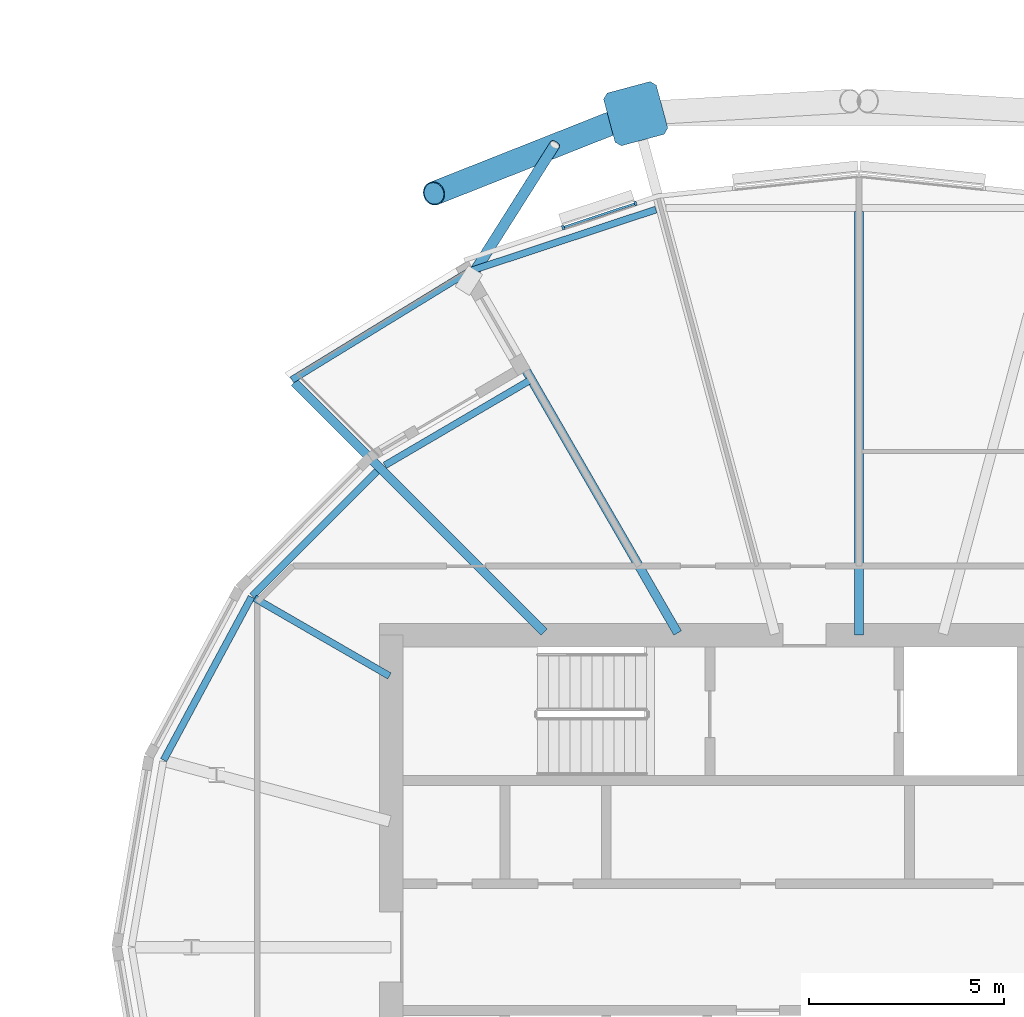
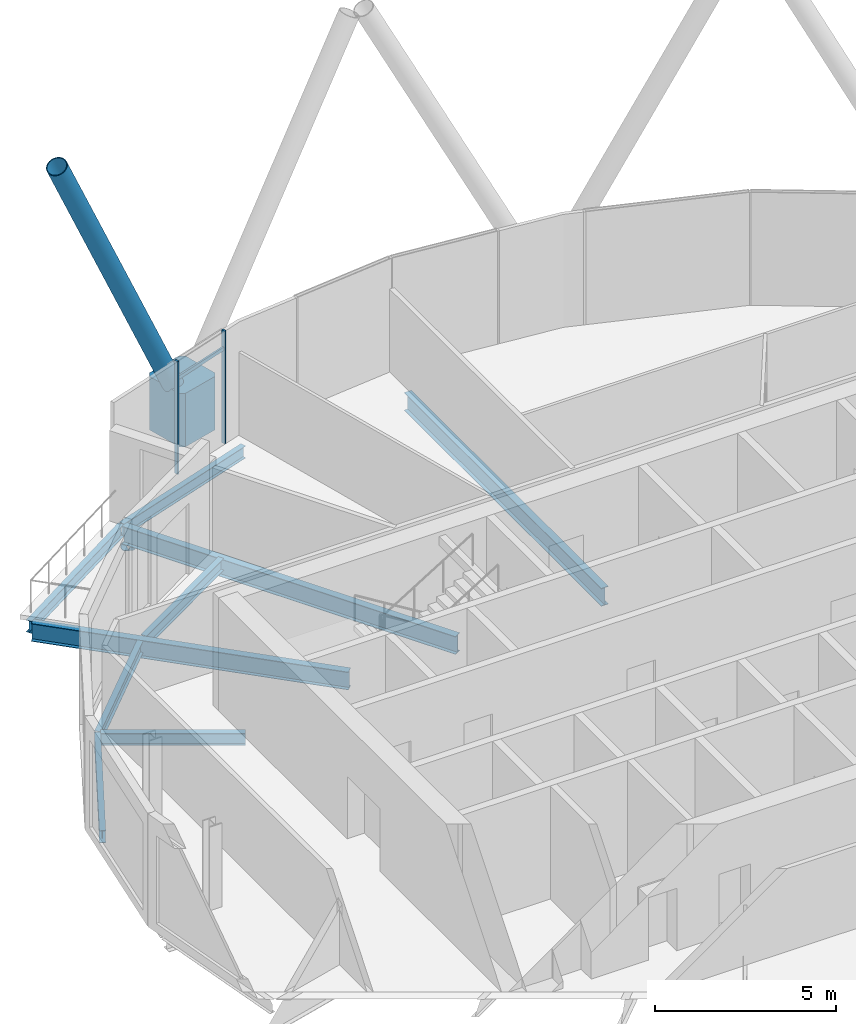
# One storey, part 10 of 37: 9 beams, 6 members, 1 element without a shape of its own.
"""IFC4 building model written with IfcOpenShell, lengths in metres."""

from ifc_helpers import new_model, si_unit, direction, frame, origin, origin_2d, place, context, subcontext, project, spatial, polyline, rectangle, hollow_circle, i_section, outline, extrude, clip, halfspace, material, material_profile, profile_set, type_object, element, aggregate, save


model = new_model("IFC4")

# Units and contexts
model_context = context("Model", 3, precision=1e-05, world=origin(), true_north=direction((0.0, 1.0)))
body_context = subcontext(model_context, "Body", "Model", "MODEL_VIEW")
ifc_project = project(units=[si_unit("LENGTHUNIT", "METRE"), si_unit("AREAUNIT", "SQUARE_METRE"), si_unit("VOLUMEUNIT", "CUBIC_METRE"), si_unit("PLANEANGLEUNIT", "RADIAN"), si_unit("MASSUNIT", "GRAM", prefix="KILO")], contexts=[model_context])

# Site, building, storey
site_placement = place(None, origin())
site = spatial("IfcSite", under=ifc_project, at=site_placement, CompositionType="ELEMENT")
building_placement = place(site_placement, origin())
building = spatial("IfcBuilding", under=site, at=building_placement, Name="Rimbun Link Towers", CompositionType="ELEMENT")
storey_placement = place(building_placement, frame((0.0, 0.0, 170.300048828125)))
storey = spatial("IfcBuildingStorey", under=building, at=storey_placement, Name="L41", CompositionType="ELEMENT", Elevation=170.300048828125)

# Curtain wall, members
ifc_material_1 = material(Name="Aluminium 6063-T6 and low-iron glass", Category="aluminium")
curtain_wall_type = type_object("IfcCurtainWallType", Name="CW1-Z3 unitised vision wall (zone 3)", PredefinedType="NOTDEFINED", material=ifc_material_1)
curtain_wall_placement = place(storey_placement, origin())
curtain_wall = element("IfcCurtainWall", 1, at=curtain_wall_placement, inside=storey, type_object=curtain_wall_type, Name="CW1 L41 T1", PredefinedType="NOTDEFINED")
ifc_material_2 = material(Name="Aluminium 6063-T6", Category="aluminium")
ifc_material_profile_1 = material_profile(ifc_material_2, rectangle(XDim=0.1201171875, YDim=0.06005859375, at=origin_2d()), Name="MULLION 60X120")
ifc_profile_set_1 = profile_set([ifc_material_profile_1], Name="Aluminium 6063-T6")
member_type_1 = type_object("IfcMemberType", Name="CW1 mullion 60X120", PredefinedType="MULLION", material=ifc_profile_set_1)
member_1_placement = place(storey_placement, frame((-39.340576171875, 18.4599609375, 0.0), z_axis=(0.0, 0.0, 1.0), x_axis=(-0.314560279601, 0.949237499521, 0.0)))
member_1 = element("IfcMember", 2, at=member_1_placement, type_object=member_type_1, Name="CW1 mullion", PredefinedType="MULLION", context=body_context, shape_type="SweptSolid", body=[
    extrude(rectangle(XDim=0.1201171875, YDim=0.06005859375, at=origin_2d()), origin(), (0.0, 0.0, 1.0), 3.800048828125),
])
member_2_placement = place(storey_placement, frame((-37.48486328125, 19.07470703125, 0.0), z_axis=(0.0, 0.0, 1.0), x_axis=(-0.314560279601, 0.949237499521, 0.0)))
member_2 = element("IfcMember", 3, at=member_2_placement, type_object=member_type_1, Name="CW1 mullion", PredefinedType="MULLION", context=body_context, shape_type="SweptSolid", body=[
    extrude(rectangle(XDim=0.1201171875, YDim=0.06005859375, at=origin_2d()), origin(), (0.0, 0.0, 1.0), 3.800048828125),
])
ifc_material_3 = material(Name="Aluminium 6063-T6", Category="aluminium")
ifc_material_profile_2 = material_profile(ifc_material_3, rectangle(XDim=0.06005859375, YDim=0.1201171875, at=origin_2d()), Name="TRANSOM 60X120")
ifc_profile_set_2 = profile_set([ifc_material_profile_2], Name="Aluminium 6063-T6")
member_type_2 = type_object("IfcMemberType", Name="CW1 transom 60X120", PredefinedType="USERDEFINED", material=ifc_profile_set_2)
member_3_placement = place(storey_placement, frame((-39.3115234375, 18.46728515625, 3.199951171875), z_axis=(0.949222997318, 0.314604039013, 0.0), x_axis=(-0.314604039013, 0.949222997318, 0.0)))
member_3 = element("IfcMember", 4, at=member_3_placement, type_object=member_type_2, Name="CW1 transom", ObjectType="TRANSOM", PredefinedType="USERDEFINED", context=body_context, shape_type="SweptSolid", body=[
    extrude(rectangle(XDim=0.06005859375, YDim=0.1201171875, at=origin_2d()), origin(), (0.0, 0.0, 1.0), 1.89501953125),
])
aggregate(curtain_wall, [member_1, member_2, member_3])

# Members
ifc_material_4 = material(Name="Steel S355J2H", Category="steel")
ifc_material_profile_3 = material_profile(ifc_material_4, hollow_circle(Radius=0.3046875, WallThickness=0.02490234375, at=origin_2d()), Name="Diagrid diagonal CHS 610x25")
ifc_profile_set_3 = profile_set([ifc_material_profile_3], Name="Steel S355J2H")
member_type_3 = type_object("IfcMemberType", Name="Diagrid diagonal CHS 610x25", PredefinedType="BRACE", material=ifc_profile_set_3)
member_4_placement = place(storey_placement, frame((-37.689208984375, 21.296630859375, 0.44580078125), z_axis=(-0.421187646569, -0.166556991544, 0.8915490648), x_axis=(0.367737070118, -0.929929807707, 0.0)))
element("IfcMember", 5, at=member_4_placement, inside=storey, type_object=member_type_3, Name="Diagrid diagonal T1 L41-L44 07b", PredefinedType="BRACE", context=body_context, shape_type="SweptSolid", body=[
    extrude(hollow_circle(Radius=0.3046875, WallThickness=0.02490234375, at=origin_2d()), origin(), (0.0, 0.0, 1.0), 11.78662109375),
])
ifc_material_5 = material(Name="Cast steel G20Mn5+QT, Rp0.2 300 MPa", Category="steel")
ifc_material_profile_4 = material_profile(ifc_material_5, outline(polyline([(0.699951171875, -0.570068359375), (0.699951171875, 0.570068359375), (0.570068359375, 0.699951171875), (-0.570068359375, 0.699951171875), (-0.699951171875, 0.570068359375), (-0.699951171875, -0.570068359375), (-0.570068359375, -0.699951171875), (0.570068359375, -0.699951171875), (0.699951171875, -0.570068359375)])), Name="NODE 1400x1400")
ifc_profile_set_4 = profile_set([ifc_material_profile_4], Name="Cast steel G20Mn5+QT, Rp0.2 300 MPa")
member_type_4 = type_object("IfcMemberType", Name="Diagrid node cast 1400", PredefinedType="USERDEFINED", material=ifc_profile_set_4)
member_5_placement = place(storey_placement, frame((-37.478759765625, 21.3798828125, -0.900146484375), z_axis=(0.0, 0.0, 1.0), x_axis=(-0.258819045103, 0.965925826289, 0.0)))
element("IfcMember", 6, at=member_5_placement, inside=storey, type_object=member_type_4, Name="Diagrid node L41 07", ObjectType="Diagrid node", PredefinedType="USERDEFINED", context=body_context, shape_type="SweptSolid", body=[
    extrude(outline(polyline([(0.699951171875, -0.570068359375), (0.699951171875, 0.570068359375), (0.570068359375, 0.699951171875), (-0.570068359375, 0.699951171875), (-0.699951171875, 0.570068359375), (-0.699951171875, -0.570068359375), (-0.570068359375, -0.699951171875), (0.570068359375, -0.699951171875), (0.699951171875, -0.570068359375)])), origin(), (0.0, 0.0, 1.0), 1.800048828125),
])
ifc_material_6 = material(Name="Steel S355J2H", Category="steel")
ifc_material_profile_5 = material_profile(ifc_material_6, hollow_circle(Radius=0.136474609375, WallThickness=0.012451171875, at=origin_2d()), Name="CHS 273x12.5")
ifc_profile_set_5 = profile_set([ifc_material_profile_5], Name="Steel S355J2H")
member_type_5 = type_object("IfcMemberType", Name="Floor edge link CHS 273x12.5", PredefinedType="BRACE", material=ifc_profile_set_5)
member_6_placement = place(storey_placement, frame((-41.686767578125, 17.2109375, -0.865234375), z_axis=(0.438650265691, 0.693230792334, -0.571854013686), x_axis=(-0.845037150852, 0.53470759643, 0.0)))
element("IfcMember", 7, at=member_6_placement, inside=storey, type_object=member_type_5, Name="Floor edge link T1 L41 08", PredefinedType="BRACE", context=body_context, shape_type="Clipping", body=[
    clip(extrude(hollow_circle(Radius=0.136474609375, WallThickness=0.012451171875, at=origin_2d()), frame((0.0, 0.0, -0.4091796875)), (0.0, 0.0, 1.0), 5.28076171875), halfspace(frame((0.0, 0.0, -0.193359375), z_axis=(0.0, 0.820355402878, -0.571854013686)), False)),
])

# Beams
ifc_material_7 = material(Name="Steel S355J2", Category="steel")
ifc_material_profile_6 = material_profile(ifc_material_7, i_section(OverallWidth=0.177978515625, OverallDepth=0.406494140625, WebThickness=0.0078125, FlangeThickness=0.0126953125, at=origin_2d()), Name="UB 406x178x60")
ifc_profile_set_6 = profile_set([ifc_material_profile_6], Name="Steel S355J2")
beam_type_1 = type_object("IfcBeamType", Name="UB 406x178x60", PredefinedType="BEAM", material=ifc_profile_set_6)
beam_1_placement = place(storey_placement, frame((-43.79541015625, 6.954345703125, -0.353271484375), z_axis=(-0.866012320003, 0.50002266109, 0.0), x_axis=(-0.50002266109, -0.866012320003, 0.0)))
element("IfcBeam", 8, at=beam_1_placement, inside=storey, type_object=beam_type_1, Name="Radial beam T1 L41 10", PredefinedType="BEAM", context=body_context, shape_type="SweptSolid", body=[
    extrude(i_section(OverallWidth=0.177978515625, OverallDepth=0.406494140625, WebThickness=0.0078125, FlangeThickness=0.0126953125, at=origin_2d()), origin(), (0.0, 0.0, 1.0), 3.989013671875),
])
beam_2_placement = place(storey_placement, frame((-36.957275390625, 18.92041015625, -0.353271484375), z_axis=(-0.949397207519, -0.314077924017, 0.0), x_axis=(0.314077924017, -0.949397207519, 0.0)))
element("IfcBeam", 9, at=beam_2_placement, inside=storey, type_object=beam_type_1, Name="Edge beam T1 L41 07", PredefinedType="BEAM", context=body_context, shape_type="SweptSolid", body=[
    extrude(i_section(OverallWidth=0.177978515625, OverallDepth=0.406494140625, WebThickness=0.0078125, FlangeThickness=0.0126953125, at=origin_2d()), origin(), (0.0, 0.0, 1.0), 5.0439453125),
])
beam_3_placement = place(storey_placement, frame((-40.195556640625, 14.53759765625, -0.353271484375), z_axis=(-0.862657062077, -0.505789277515, 0.0), x_axis=(0.505789277515, -0.862657062077, 0.0)))
element("IfcBeam", 10, at=beam_3_placement, inside=storey, type_object=beam_type_1, Name="Edge beam T1 L41 08 recess", PredefinedType="BEAM", context=body_context, shape_type="SweptSolid", body=[
    extrude(i_section(OverallWidth=0.177978515625, OverallDepth=0.406494140625, WebThickness=0.0078125, FlangeThickness=0.0126953125, at=origin_2d()), origin(), (0.0, 0.0, 1.0), 4.31005859375),
])
beam_4_placement = place(storey_placement, frame((-41.7666015625, 17.32666015625, -0.353271484375), z_axis=(-0.852689704851, -0.522417713369, 0.0), x_axis=(0.522417713369, -0.852689704851, 0.0)))
element("IfcBeam", 11, at=beam_4_placement, inside=storey, type_object=beam_type_1, Name="Edge beam T1 L41 08 terrace", PredefinedType="BEAM", context=body_context, shape_type="SweptSolid", body=[
    extrude(i_section(OverallWidth=0.177978515625, OverallDepth=0.406494140625, WebThickness=0.0078125, FlangeThickness=0.0126953125, at=origin_2d()), origin(), (0.0, 0.0, 1.0), 5.31494140625),
])
beam_5_placement = place(storey_placement, frame((-44.1171875, 12.20458984375, -0.353271484375), z_axis=(-0.707187678139, -0.707025874978, 0.0), x_axis=(0.707025874978, -0.707187678139, 0.0)))
element("IfcBeam", 12, at=beam_5_placement, inside=storey, type_object=beam_type_1, Name="Edge beam T1 L41 09 recess", PredefinedType="BEAM", context=body_context, shape_type="SweptSolid", body=[
    extrude(i_section(OverallWidth=0.177978515625, OverallDepth=0.406494140625, WebThickness=0.0078125, FlangeThickness=0.0126953125, at=origin_2d()), origin(), (0.0, 0.0, 1.0), 4.526611328125),
])
beam_6_placement = place(storey_placement, frame((-47.3349609375, 8.981689453125, -0.353271484375), z_axis=(-0.474020203639, -0.880513967261, 0.0), x_axis=(0.880513967261, -0.474020203639, 0.0)))
element("IfcBeam", 13, at=beam_6_placement, inside=storey, type_object=beam_type_1, Name="Edge beam T1 L41 10 recess", PredefinedType="BEAM", context=body_context, shape_type="SweptSolid", body=[
    extrude(i_section(OverallWidth=0.177978515625, OverallDepth=0.406494140625, WebThickness=0.0078125, FlangeThickness=0.0126953125, at=origin_2d()), origin(), (0.0, 0.0, 1.0), 4.75439453125),
])
ifc_material_8 = material(Name="Steel S355J2", Category="steel")
ifc_material_profile_7 = material_profile(ifc_material_8, i_section(OverallWidth=0.2275390625, OverallDepth=0.6025390625, WebThickness=0.010498046875, FlangeThickness=0.014892578125, at=origin_2d()), Name="UB 610x229x101")
ifc_profile_set_7 = profile_set([ifc_material_profile_7], Name="Steel S355J2")
beam_type_2 = type_object("IfcBeamType", Name="UB 610x229x101", PredefinedType="BEAM", material=ifc_profile_set_7)
beam_7_placement = place(storey_placement, frame((-31.75, 8.0009765625, -0.451416015625), z_axis=(0.0, 1.0, 0.0), x_axis=(-1.0, 0.0, 0.0)))
element("IfcBeam", 14, at=beam_7_placement, inside=storey, type_object=beam_type_2, Name="Radial beam T1 L41 06", PredefinedType="BEAM", context=body_context, shape_type="SweptSolid", body=[
    extrude(i_section(OverallWidth=0.2275390625, OverallDepth=0.6025390625, WebThickness=0.010498046875, FlangeThickness=0.014892578125, at=origin_2d()), origin(), (0.0, 0.0, 1.0), 10.871337890625),
])
beam_8_placement = place(storey_placement, frame((-36.402099609375, 8.057861328125, -0.451416015625), z_axis=(-0.500013668352, 0.866017512214, 0.0), x_axis=(-0.866017512214, -0.500013668352, 0.0)))
element("IfcBeam", 15, at=beam_8_placement, inside=storey, type_object=beam_type_2, Name="Radial beam T1 L41 08", PredefinedType="BEAM", context=body_context, shape_type="SweptSolid", body=[
    extrude(i_section(OverallWidth=0.2275390625, OverallDepth=0.6025390625, WebThickness=0.010498046875, FlangeThickness=0.014892578125, at=origin_2d()), origin(), (0.0, 0.0, 1.0), 10.619384765625),
])
beam_9_placement = place(storey_placement, frame((-39.831298828125, 8.081298828125, -0.451416015625), z_axis=(-0.707106781187, 0.707106781187, 0.0), x_axis=(-0.707106781187, -0.707106781187, 0.0)))
element("IfcBeam", 16, at=beam_9_placement, inside=storey, type_object=beam_type_2, Name="Radial beam T1 L41 09", PredefinedType="BEAM", context=body_context, shape_type="SweptSolid", body=[
    extrude(i_section(OverallWidth=0.2275390625, OverallDepth=0.6025390625, WebThickness=0.010498046875, FlangeThickness=0.014892578125, at=origin_2d()), origin(), (0.0, 0.0, 1.0), 9.054931640625),
])

save(model, "model.ifc")
